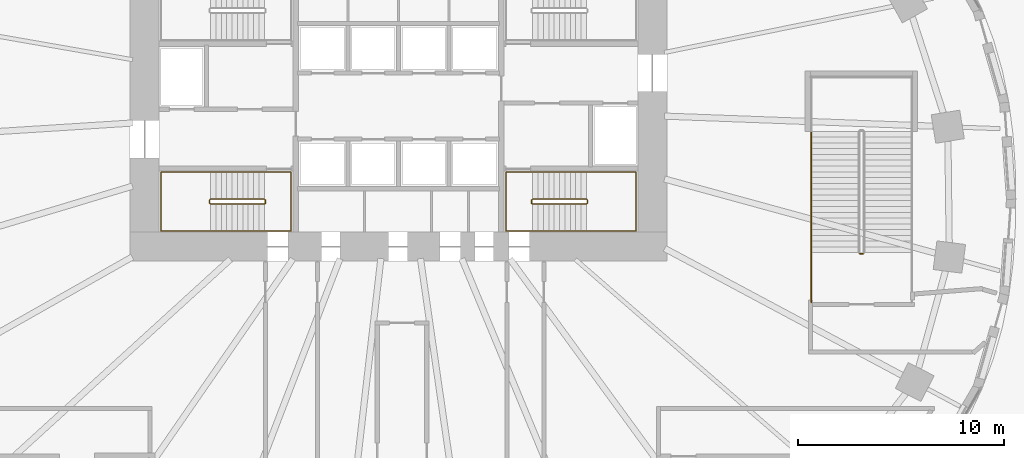
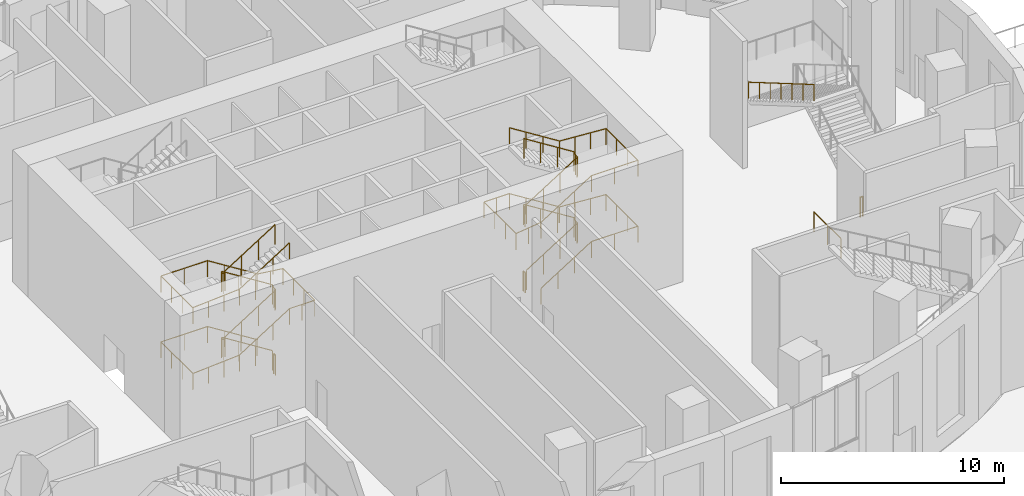
# One storey, part 22 of 27: 9 railings.
"""IFC4 building model written with IfcOpenShell, lengths in metres."""

from ifc_helpers import new_model, si_unit, direction, frame, origin, origin_2d, place, context, subcontext, project, spatial, circle, extrude, material, type_object, element, save


model = new_model("IFC4")

# Units and contexts
model_context = context("Model", 3, precision=1e-05, world=origin(), true_north=direction((0.0, 1.0)))
body_context = subcontext(model_context, "Body", "Model", "MODEL_VIEW")
ifc_project = project(units=[si_unit("LENGTHUNIT", "METRE"), si_unit("AREAUNIT", "SQUARE_METRE"), si_unit("VOLUMEUNIT", "CUBIC_METRE"), si_unit("PLANEANGLEUNIT", "RADIAN"), si_unit("MASSUNIT", "GRAM", prefix="KILO")], contexts=[model_context])

# Site, building, storey
site_placement = place(None, origin())
site = spatial("IfcSite", under=ifc_project, at=site_placement, CompositionType="ELEMENT")
building_placement = place(site_placement, origin())
building = spatial("IfcBuilding", under=site, at=building_placement, Name="Rubra Terraces Tower", CompositionType="ELEMENT")
storey_placement = place(building_placement, origin())
storey = spatial("IfcBuildingStorey", under=building, at=storey_placement, Name="L00", CompositionType="ELEMENT", Elevation=0.0)

# Railings
ifc_material = material(Name="Stainless steel", Category="steel")
railing_type_1 = type_object("IfcRailingType", Name="Core stair guard 1100", PredefinedType="GUARDRAIL", material=ifc_material)
railing_1_placement = place(storey_placement, frame((-6.5, 0.0, 0.16357421875)))
element("IfcRailing", 1, at=railing_1_placement, inside=storey, type_object=railing_type_1, Name="L00 stair S1 guard 1", PredefinedType="GUARDRAIL", context=body_context, shape_type="SweptSolid", body=[
    extrude(circle(Radius=0.02392578125, at=origin_2d()), frame((0.0, 0.0, 1.076171875), z_axis=(-0.846324394277, 0.0, 0.532667832379), x_axis=(0.0, -1.0, 0.0)), (0.0, 0.0, 1.0), 3.072265625),
    extrude(circle(Radius=0.02392578125, at=origin_2d()), frame((-2.60009765625, 0.0, 2.71240234375), z_axis=(-0.705375805398, -0.708833529934, 0.0), x_axis=(0.708833529934, -0.705375805398, 0.0)), (0.0, 0.0, 1.0), 0.070556640625),
    extrude(circle(Radius=0.02392578125, at=origin_2d()), frame((-2.64990234375, -0.050048828125, 2.71240234375), z_axis=(0.0, -1.0, 0.0), x_axis=(1.0, 0.0, 0.0)), (0.0, 0.0, 1.0), 0.14990234375),
    extrude(circle(Radius=0.02392578125, at=origin_2d()), frame((-2.64990234375, -0.199951171875, 2.71240234375), z_axis=(0.279546231943, -0.280916556609, 0.91811752648), x_axis=(0.708833529934, 0.705375805398, 0.0)), (0.0, 0.0, 1.0), 0.17822265625),
    extrude(circle(Radius=0.02392578125, at=origin_2d()), frame((-2.60009765625, -0.25, 2.8759765625), z_axis=(0.846324394277, 0.0, 0.532667832379), x_axis=(0.0, 1.0, 0.0)), (0.0, 0.0, 1.0), 3.072265625),
    extrude(circle(Radius=0.02392578125, at=origin_2d()), frame((0.0, -0.25, 4.5126953125), z_axis=(0.707106781187, 0.707106781187, 0.0), x_axis=(-0.707106781187, 0.707106781187, 0.0)), (0.0, 0.0, 1.0), 0.07080078125),
    extrude(circle(Radius=0.02392578125, at=origin_2d()), frame((0.050048828125, -0.199951171875, 4.5126953125), z_axis=(0.0, 1.0, 0.0), x_axis=(-1.0, 0.0, 0.0)), (0.0, 0.0, 1.0), 0.14990234375),
    extrude(circle(Radius=0.02392578125, at=origin_2d()), frame((0.050048828125, -0.050048828125, 4.5126953125), z_axis=(-0.280808744504, 0.280808744504, 0.917765164963), x_axis=(-0.707106781187, -0.707106781187, 0.0)), (0.0, 0.0, 1.0), 0.17822265625),
    extrude(circle(Radius=0.02392578125, at=origin_2d()), frame((0.0, 0.0, 4.67626953125), z_axis=(-0.846360218416, 0.0, 0.532610909279), x_axis=(0.0, -1.0, 0.0)), (0.0, 0.0, 1.0), 3.072021484375),
    extrude(circle(Radius=0.02392578125, at=origin_2d()), frame((-2.60009765625, 0.0, 6.3125), z_axis=(-0.705375805398, -0.708833529934, 0.0), x_axis=(0.708833529934, -0.705375805398, 0.0)), (0.0, 0.0, 1.0), 0.070556640625),
    extrude(circle(Radius=0.02392578125, at=origin_2d()), frame((-2.64990234375, -0.050048828125, 6.3125), z_axis=(0.0, -1.0, 0.0), x_axis=(1.0, 0.0, 0.0)), (0.0, 0.0, 1.0), 0.14990234375),
    extrude(circle(Radius=0.02392578125, at=origin_2d()), frame((-2.64990234375, -0.199951171875, 6.3125), z_axis=(0.279194930351, -0.280563532951, 0.91833234444), x_axis=(0.708833529934, 0.705375805398, 0.0)), (0.0, 0.0, 1.0), 0.178466796875),
    extrude(circle(Radius=0.02392578125, at=origin_2d()), frame((-2.60009765625, -0.25, 6.47607421875), z_axis=(0.846360218416, 0.0, 0.532610909279), x_axis=(0.0, 1.0, 0.0)), (0.0, 0.0, 1.0), 3.072021484375),
    extrude(circle(Radius=0.02099609375, at=origin_2d()), origin(), (0.0, 0.0, 1.0), 1.052001953125),
    extrude(circle(Radius=0.02099609375, at=origin_2d()), frame((-0.86669921875, 0.0, 0.54541015625)), (0.0, 0.0, 1.0), 1.052001953125),
    extrude(circle(Radius=0.02099609375, at=origin_2d()), frame((-1.7333984375, 0.0, 1.091064453125)), (0.0, 0.0, 1.0), 1.052001953125),
    extrude(circle(Radius=0.02099609375, at=origin_2d()), frame((-2.60009765625, 0.0, 1.636474609375)), (0.0, 0.0, 1.0), 1.052001953125),
    extrude(circle(Radius=0.02099609375, at=origin_2d()), frame((-2.64990234375, -0.050048828125, 1.636474609375)), (0.0, 0.0, 1.0), 1.052001953125),
    extrude(circle(Radius=0.02099609375, at=origin_2d()), frame((-2.64990234375, -0.199951171875, 1.636474609375)), (0.0, 0.0, 1.0), 1.052001953125),
    extrude(circle(Radius=0.02099609375, at=origin_2d()), frame((-2.60009765625, -0.25, 1.800048828125)), (0.0, 0.0, 1.0), 1.052001953125),
    extrude(circle(Radius=0.02099609375, at=origin_2d()), frame((-1.7333984375, -0.25, 2.345458984375)), (0.0, 0.0, 1.0), 1.052001953125),
    extrude(circle(Radius=0.02099609375, at=origin_2d()), frame((-0.86669921875, -0.25, 2.89111328125)), (0.0, 0.0, 1.0), 1.052001953125),
    extrude(circle(Radius=0.02099609375, at=origin_2d()), frame((0.0, -0.25, 3.4365234375)), (0.0, 0.0, 1.0), 1.052001953125),
    extrude(circle(Radius=0.02099609375, at=origin_2d()), frame((0.050048828125, -0.199951171875, 3.4365234375)), (0.0, 0.0, 1.0), 1.052001953125),
    extrude(circle(Radius=0.02099609375, at=origin_2d()), frame((0.050048828125, -0.050048828125, 3.4365234375)), (0.0, 0.0, 1.0), 1.052001953125),
    extrude(circle(Radius=0.02099609375, at=origin_2d()), frame((0.0, 0.0, 3.60009765625)), (0.0, 0.0, 1.0), 1.052001953125),
    extrude(circle(Radius=0.02099609375, at=origin_2d()), frame((-0.86669921875, 0.0, 4.1455078125)), (0.0, 0.0, 1.0), 1.052001953125),
    extrude(circle(Radius=0.02099609375, at=origin_2d()), frame((-1.7333984375, 0.0, 4.69091796875)), (0.0, 0.0, 1.0), 1.052001953125),
    extrude(circle(Radius=0.02099609375, at=origin_2d()), frame((-2.60009765625, 0.0, 5.236328125)), (0.0, 0.0, 1.0), 1.052001953125),
    extrude(circle(Radius=0.02099609375, at=origin_2d()), frame((-2.64990234375, -0.050048828125, 5.236328125)), (0.0, 0.0, 1.0), 1.052001953125),
    extrude(circle(Radius=0.02099609375, at=origin_2d()), frame((-2.64990234375, -0.199951171875, 5.236328125)), (0.0, 0.0, 1.0), 1.052001953125),
    extrude(circle(Radius=0.02099609375, at=origin_2d()), frame((-2.60009765625, -0.25, 5.400146484375)), (0.0, 0.0, 1.0), 1.052001953125),
    extrude(circle(Radius=0.02099609375, at=origin_2d()), frame((-1.7333984375, -0.25, 5.945556640625)), (0.0, 0.0, 1.0), 1.052001953125),
    extrude(circle(Radius=0.02099609375, at=origin_2d()), frame((-0.86669921875, -0.25, 6.490966796875)), (0.0, 0.0, 1.0), 1.052001953125),
    extrude(circle(Radius=0.02099609375, at=origin_2d()), frame((0.0, -0.25, 7.036376953125)), (0.0, 0.0, 1.0), 1.052001953125),
])
railing_2_placement = place(storey_placement, frame((-6.449951171875, -0.050048828125, 0.0)))
element("IfcRailing", 2, at=railing_2_placement, inside=storey, type_object=railing_type_1, Name="L00 stair S1 guard 2", PredefinedType="GUARDRAIL", context=body_context, shape_type="SweptSolid", body=[
    extrude(circle(Radius=0.02392578125, at=origin_2d()), frame((0.0, 0.0, 1.076171875), z_axis=(0.0, -1.0, 0.0), x_axis=(1.0, 0.0, 0.0)), (0.0, 0.0, 1.0), 0.14990234375),
    extrude(circle(Radius=0.02099609375, at=origin_2d()), origin(), (0.0, 0.0, 1.0), 1.052001953125),
    extrude(circle(Radius=0.02099609375, at=origin_2d()), frame((0.0, -0.14990234375, 0.0)), (0.0, 0.0, 1.0), 1.052001953125),
])
railing_3_placement = place(storey_placement, frame((6.5, -0.25, 0.16357421875)))
element("IfcRailing", 3, at=railing_3_placement, inside=storey, type_object=railing_type_1, Name="L00 stair S4 guard 1", PredefinedType="GUARDRAIL", context=body_context, shape_type="SweptSolid", body=[
    extrude(circle(Radius=0.02392578125, at=origin_2d()), frame((0.0, 0.0, 1.076171875), z_axis=(0.846324394277, 0.0, 0.532667832379), x_axis=(0.0, 1.0, 0.0)), (0.0, 0.0, 1.0), 3.072265625),
    extrude(circle(Radius=0.02392578125, at=origin_2d()), frame((2.60009765625, 0.0, 2.71240234375), z_axis=(0.705375805398, 0.708833529934, 0.0), x_axis=(-0.708833529934, 0.705375805398, 0.0)), (0.0, 0.0, 1.0), 0.070556640625),
    extrude(circle(Radius=0.02392578125, at=origin_2d()), frame((2.64990234375, 0.050048828125, 2.71240234375), z_axis=(0.0, 1.0, 0.0), x_axis=(-1.0, 0.0, 0.0)), (0.0, 0.0, 1.0), 0.14990234375),
    extrude(circle(Radius=0.02392578125, at=origin_2d()), frame((2.64990234375, 0.199951171875, 2.71240234375), z_axis=(-0.279546231943, 0.280916556609, 0.91811752648), x_axis=(-0.708833529934, -0.705375805398, 0.0)), (0.0, 0.0, 1.0), 0.17822265625),
    extrude(circle(Radius=0.02392578125, at=origin_2d()), frame((2.60009765625, 0.25, 2.8759765625), z_axis=(-0.846324394277, 0.0, 0.532667832379), x_axis=(0.0, -1.0, 0.0)), (0.0, 0.0, 1.0), 3.072265625),
    extrude(circle(Radius=0.02392578125, at=origin_2d()), frame((0.0, 0.25, 4.5126953125), z_axis=(-0.707106781187, -0.707106781187, 0.0), x_axis=(0.707106781187, -0.707106781187, 0.0)), (0.0, 0.0, 1.0), 0.07080078125),
    extrude(circle(Radius=0.02392578125, at=origin_2d()), frame((-0.050048828125, 0.199951171875, 4.5126953125), z_axis=(0.0, -1.0, 0.0), x_axis=(1.0, 0.0, 0.0)), (0.0, 0.0, 1.0), 0.14990234375),
    extrude(circle(Radius=0.02392578125, at=origin_2d()), frame((-0.050048828125, 0.050048828125, 4.5126953125), z_axis=(0.280808744504, -0.280808744504, 0.917765164963), x_axis=(0.707106781187, 0.707106781187, 0.0)), (0.0, 0.0, 1.0), 0.17822265625),
    extrude(circle(Radius=0.02392578125, at=origin_2d()), frame((0.0, 0.0, 4.67626953125), z_axis=(0.846360218416, 0.0, 0.532610909279), x_axis=(0.0, 1.0, 0.0)), (0.0, 0.0, 1.0), 3.072021484375),
    extrude(circle(Radius=0.02392578125, at=origin_2d()), frame((2.60009765625, 0.0, 6.3125), z_axis=(0.705375805398, 0.708833529934, 0.0), x_axis=(-0.708833529934, 0.705375805398, 0.0)), (0.0, 0.0, 1.0), 0.070556640625),
    extrude(circle(Radius=0.02392578125, at=origin_2d()), frame((2.64990234375, 0.050048828125, 6.3125), z_axis=(0.0, 1.0, 0.0), x_axis=(-1.0, 0.0, 0.0)), (0.0, 0.0, 1.0), 0.14990234375),
    extrude(circle(Radius=0.02392578125, at=origin_2d()), frame((2.64990234375, 0.199951171875, 6.3125), z_axis=(-0.279194930351, 0.280563532951, 0.91833234444), x_axis=(-0.708833529934, -0.705375805398, 0.0)), (0.0, 0.0, 1.0), 0.178466796875),
    extrude(circle(Radius=0.02392578125, at=origin_2d()), frame((2.60009765625, 0.25, 6.47607421875), z_axis=(-0.846360218416, 0.0, 0.532610909279), x_axis=(0.0, -1.0, 0.0)), (0.0, 0.0, 1.0), 3.072021484375),
    extrude(circle(Radius=0.02099609375, at=origin_2d()), origin(), (0.0, 0.0, 1.0), 1.052001953125),
    extrude(circle(Radius=0.02099609375, at=origin_2d()), frame((0.86669921875, 0.0, 0.54541015625)), (0.0, 0.0, 1.0), 1.052001953125),
    extrude(circle(Radius=0.02099609375, at=origin_2d()), frame((1.7333984375, 0.0, 1.091064453125)), (0.0, 0.0, 1.0), 1.052001953125),
    extrude(circle(Radius=0.02099609375, at=origin_2d()), frame((2.60009765625, 0.0, 1.636474609375)), (0.0, 0.0, 1.0), 1.052001953125),
    extrude(circle(Radius=0.02099609375, at=origin_2d()), frame((2.64990234375, 0.050048828125, 1.636474609375)), (0.0, 0.0, 1.0), 1.052001953125),
    extrude(circle(Radius=0.02099609375, at=origin_2d()), frame((2.64990234375, 0.199951171875, 1.636474609375)), (0.0, 0.0, 1.0), 1.052001953125),
    extrude(circle(Radius=0.02099609375, at=origin_2d()), frame((2.60009765625, 0.25, 1.800048828125)), (0.0, 0.0, 1.0), 1.052001953125),
    extrude(circle(Radius=0.02099609375, at=origin_2d()), frame((1.7333984375, 0.25, 2.345458984375)), (0.0, 0.0, 1.0), 1.052001953125),
    extrude(circle(Radius=0.02099609375, at=origin_2d()), frame((0.86669921875, 0.25, 2.89111328125)), (0.0, 0.0, 1.0), 1.052001953125),
    extrude(circle(Radius=0.02099609375, at=origin_2d()), frame((0.0, 0.25, 3.4365234375)), (0.0, 0.0, 1.0), 1.052001953125),
    extrude(circle(Radius=0.02099609375, at=origin_2d()), frame((-0.050048828125, 0.199951171875, 3.4365234375)), (0.0, 0.0, 1.0), 1.052001953125),
    extrude(circle(Radius=0.02099609375, at=origin_2d()), frame((-0.050048828125, 0.050048828125, 3.4365234375)), (0.0, 0.0, 1.0), 1.052001953125),
    extrude(circle(Radius=0.02099609375, at=origin_2d()), frame((0.0, 0.0, 3.60009765625)), (0.0, 0.0, 1.0), 1.052001953125),
    extrude(circle(Radius=0.02099609375, at=origin_2d()), frame((0.86669921875, 0.0, 4.1455078125)), (0.0, 0.0, 1.0), 1.052001953125),
    extrude(circle(Radius=0.02099609375, at=origin_2d()), frame((1.7333984375, 0.0, 4.69091796875)), (0.0, 0.0, 1.0), 1.052001953125),
    extrude(circle(Radius=0.02099609375, at=origin_2d()), frame((2.60009765625, 0.0, 5.236328125)), (0.0, 0.0, 1.0), 1.052001953125),
    extrude(circle(Radius=0.02099609375, at=origin_2d()), frame((2.64990234375, 0.050048828125, 5.236328125)), (0.0, 0.0, 1.0), 1.052001953125),
    extrude(circle(Radius=0.02099609375, at=origin_2d()), frame((2.64990234375, 0.199951171875, 5.236328125)), (0.0, 0.0, 1.0), 1.052001953125),
    extrude(circle(Radius=0.02099609375, at=origin_2d()), frame((2.60009765625, 0.25, 5.400146484375)), (0.0, 0.0, 1.0), 1.052001953125),
    extrude(circle(Radius=0.02099609375, at=origin_2d()), frame((1.7333984375, 0.25, 5.945556640625)), (0.0, 0.0, 1.0), 1.052001953125),
    extrude(circle(Radius=0.02099609375, at=origin_2d()), frame((0.86669921875, 0.25, 6.490966796875)), (0.0, 0.0, 1.0), 1.052001953125),
    extrude(circle(Radius=0.02099609375, at=origin_2d()), frame((0.0, 0.25, 7.036376953125)), (0.0, 0.0, 1.0), 1.052001953125),
])
railing_4_placement = place(storey_placement, frame((6.449951171875, -0.199951171875, 0.0)))
element("IfcRailing", 4, at=railing_4_placement, inside=storey, type_object=railing_type_1, Name="L00 stair S4 guard 2", PredefinedType="GUARDRAIL", context=body_context, shape_type="SweptSolid", body=[
    extrude(circle(Radius=0.02392578125, at=origin_2d()), frame((0.0, 0.0, 1.076171875), z_axis=(0.0, 1.0, 0.0), x_axis=(-1.0, 0.0, 0.0)), (0.0, 0.0, 1.0), 0.14990234375),
    extrude(circle(Radius=0.02099609375, at=origin_2d()), origin(), (0.0, 0.0, 1.0), 1.052001953125),
    extrude(circle(Radius=0.02099609375, at=origin_2d()), frame((0.0, 0.14990234375, 0.0)), (0.0, 0.0, 1.0), 1.052001953125),
])
railing_type_2 = type_object("IfcRailingType", Name="Core stair handrail 900", PredefinedType="HANDRAIL", material=ifc_material)
railing_5_placement = place(storey_placement, frame((-6.5, 1.300048828125, 0.16357421875)))
element("IfcRailing", 5, at=railing_5_placement, inside=storey, type_object=railing_type_2, Name="L00 stair S1 handrail 1", PredefinedType="HANDRAIL", context=body_context, shape_type="SweptSolid", body=[
    extrude(circle(Radius=0.02392578125, at=origin_2d()), frame((0.0, 0.0, 0.8759765625), z_axis=(-0.846324394277, 0.0, 0.532667832379), x_axis=(0.0, -1.0, 0.0)), (0.0, 0.0, 1.0), 3.072265625),
    extrude(circle(Radius=0.02392578125, at=origin_2d()), frame((-2.60009765625, 0.0, 2.51220703125), z_axis=(-1.0, 0.0, 0.0), x_axis=(0.0, -1.0, 0.0)), (0.0, 0.0, 1.0), 2.39990234375),
    extrude(circle(Radius=0.02392578125, at=origin_2d()), frame((-5.0, 0.0, 2.51220703125), z_axis=(0.0, -1.0, 0.0), x_axis=(1.0, 0.0, 0.0)), (0.0, 0.0, 1.0), 2.85009765625),
    extrude(circle(Radius=0.02392578125, at=origin_2d()), frame((-5.0, -2.85009765625, 2.51220703125), z_axis=(0.997685257876, 0.0, 0.068000928055), x_axis=(0.0, 1.0, 0.0)), (0.0, 0.0, 1.0), 2.405517578125),
    extrude(circle(Radius=0.02392578125, at=origin_2d()), frame((-2.60009765625, -2.85009765625, 2.67578125), z_axis=(0.846324394277, 0.0, 0.532667832379), x_axis=(0.0, 1.0, 0.0)), (0.0, 0.0, 1.0), 3.072265625),
    extrude(circle(Radius=0.02392578125, at=origin_2d()), frame((0.0, -2.85009765625, 4.3125), z_axis=(1.0, 0.0, 0.0), x_axis=(0.0, 1.0, 0.0)), (0.0, 0.0, 1.0), 1.300048828125),
    extrude(circle(Radius=0.02392578125, at=origin_2d()), frame((1.300048828125, -2.85009765625, 4.3125), z_axis=(0.0, 1.0, 0.0), x_axis=(-1.0, 0.0, 0.0)), (0.0, 0.0, 1.0), 2.85009765625),
    extrude(circle(Radius=0.02392578125, at=origin_2d()), frame((1.300048828125, 0.0, 4.3125), z_axis=(-0.992177223599, 0.0, 0.12483732203), x_axis=(0.0, -1.0, 0.0)), (0.0, 0.0, 1.0), 1.310302734375),
    extrude(circle(Radius=0.02392578125, at=origin_2d()), frame((0.0, 0.0, 4.47607421875), z_axis=(-0.846360218416, 0.0, 0.532610909279), x_axis=(0.0, -1.0, 0.0)), (0.0, 0.0, 1.0), 3.072021484375),
    extrude(circle(Radius=0.02392578125, at=origin_2d()), frame((-2.60009765625, 0.0, 6.1123046875), z_axis=(-1.0, 0.0, 0.0), x_axis=(0.0, -1.0, 0.0)), (0.0, 0.0, 1.0), 2.39990234375),
    extrude(circle(Radius=0.02392578125, at=origin_2d()), frame((-5.0, 0.0, 6.1123046875), z_axis=(0.0, -1.0, 0.0), x_axis=(1.0, 0.0, 0.0)), (0.0, 0.0, 1.0), 2.85009765625),
    extrude(circle(Radius=0.02392578125, at=origin_2d()), frame((-5.0, -2.85009765625, 6.1123046875), z_axis=(0.997678367104, 0.0, 0.06810195161), x_axis=(0.0, 1.0, 0.0)), (0.0, 0.0, 1.0), 2.405517578125),
    extrude(circle(Radius=0.02392578125, at=origin_2d()), frame((-2.60009765625, -2.85009765625, 6.27587890625), z_axis=(0.846360218416, 0.0, 0.532610909279), x_axis=(0.0, 1.0, 0.0)), (0.0, 0.0, 1.0), 3.072021484375),
    extrude(circle(Radius=0.02099609375, at=origin_2d()), origin(), (0.0, 0.0, 1.0), 0.851806640625),
    extrude(circle(Radius=0.02099609375, at=origin_2d()), frame((-0.86669921875, 0.0, 0.54541015625)), (0.0, 0.0, 1.0), 0.851806640625),
    extrude(circle(Radius=0.02099609375, at=origin_2d()), frame((-1.7333984375, 0.0, 1.091064453125)), (0.0, 0.0, 1.0), 0.851806640625),
    extrude(circle(Radius=0.02099609375, at=origin_2d()), frame((-2.60009765625, 0.0, 1.636474609375)), (0.0, 0.0, 1.0), 0.851806640625),
    extrude(circle(Radius=0.02099609375, at=origin_2d()), frame((-3.800048828125, 0.0, 1.636474609375)), (0.0, 0.0, 1.0), 0.851806640625),
    extrude(circle(Radius=0.02099609375, at=origin_2d()), frame((-5.0, 0.0, 1.636474609375)), (0.0, 0.0, 1.0), 0.851806640625),
    extrude(circle(Radius=0.02099609375, at=origin_2d()), frame((-5.0, -0.949951171875, 1.636474609375)), (0.0, 0.0, 1.0), 0.851806640625),
    extrude(circle(Radius=0.02099609375, at=origin_2d()), frame((-5.0, -1.900146484375, 1.636474609375)), (0.0, 0.0, 1.0), 0.851806640625),
    extrude(circle(Radius=0.02099609375, at=origin_2d()), frame((-5.0, -2.85009765625, 1.636474609375)), (0.0, 0.0, 1.0), 0.851806640625),
    extrude(circle(Radius=0.02099609375, at=origin_2d()), frame((-4.199951171875, -2.85009765625, 1.69091796875)), (0.0, 0.0, 1.0), 0.851806640625),
    extrude(circle(Radius=0.02099609375, at=origin_2d()), frame((-3.400146484375, -2.85009765625, 1.74560546875)), (0.0, 0.0, 1.0), 0.851806640625),
    extrude(circle(Radius=0.02099609375, at=origin_2d()), frame((-2.60009765625, -2.85009765625, 1.800048828125)), (0.0, 0.0, 1.0), 0.851806640625),
    extrude(circle(Radius=0.02099609375, at=origin_2d()), frame((-1.7333984375, -2.85009765625, 2.345458984375)), (0.0, 0.0, 1.0), 0.851806640625),
    extrude(circle(Radius=0.02099609375, at=origin_2d()), frame((-0.86669921875, -2.85009765625, 2.89111328125)), (0.0, 0.0, 1.0), 0.851806640625),
    extrude(circle(Radius=0.02099609375, at=origin_2d()), frame((0.0, -2.85009765625, 3.4365234375)), (0.0, 0.0, 1.0), 0.851806640625),
    extrude(circle(Radius=0.02099609375, at=origin_2d()), frame((0.64990234375, -2.85009765625, 3.4365234375)), (0.0, 0.0, 1.0), 0.851806640625),
    extrude(circle(Radius=0.02099609375, at=origin_2d()), frame((1.300048828125, -2.85009765625, 3.4365234375)), (0.0, 0.0, 1.0), 0.851806640625),
    extrude(circle(Radius=0.02099609375, at=origin_2d()), frame((1.300048828125, -1.900146484375, 3.4365234375)), (0.0, 0.0, 1.0), 0.851806640625),
    extrude(circle(Radius=0.02099609375, at=origin_2d()), frame((1.300048828125, -0.949951171875, 3.4365234375)), (0.0, 0.0, 1.0), 0.851806640625),
    extrude(circle(Radius=0.02099609375, at=origin_2d()), frame((1.300048828125, 0.0, 3.4365234375)), (0.0, 0.0, 1.0), 0.851806640625),
    extrude(circle(Radius=0.02099609375, at=origin_2d()), frame((0.64990234375, 0.0, 3.518310546875)), (0.0, 0.0, 1.0), 0.851806640625),
    extrude(circle(Radius=0.02099609375, at=origin_2d()), frame((0.0, 0.0, 3.60009765625)), (0.0, 0.0, 1.0), 0.851806640625),
    extrude(circle(Radius=0.02099609375, at=origin_2d()), frame((-0.86669921875, 0.0, 4.1455078125)), (0.0, 0.0, 1.0), 0.851806640625),
    extrude(circle(Radius=0.02099609375, at=origin_2d()), frame((-1.7333984375, 0.0, 4.69091796875)), (0.0, 0.0, 1.0), 0.851806640625),
    extrude(circle(Radius=0.02099609375, at=origin_2d()), frame((-2.60009765625, 0.0, 5.236328125)), (0.0, 0.0, 1.0), 0.851806640625),
    extrude(circle(Radius=0.02099609375, at=origin_2d()), frame((-3.800048828125, 0.0, 5.236328125)), (0.0, 0.0, 1.0), 0.851806640625),
    extrude(circle(Radius=0.02099609375, at=origin_2d()), frame((-5.0, 0.0, 5.236328125)), (0.0, 0.0, 1.0), 0.851806640625),
    extrude(circle(Radius=0.02099609375, at=origin_2d()), frame((-5.0, -0.949951171875, 5.236328125)), (0.0, 0.0, 1.0), 0.851806640625),
    extrude(circle(Radius=0.02099609375, at=origin_2d()), frame((-5.0, -1.900146484375, 5.236328125)), (0.0, 0.0, 1.0), 0.851806640625),
    extrude(circle(Radius=0.02099609375, at=origin_2d()), frame((-5.0, -2.85009765625, 5.236328125)), (0.0, 0.0, 1.0), 0.851806640625),
    extrude(circle(Radius=0.02099609375, at=origin_2d()), frame((-4.199951171875, -2.85009765625, 5.291015625)), (0.0, 0.0, 1.0), 0.851806640625),
    extrude(circle(Radius=0.02099609375, at=origin_2d()), frame((-3.400146484375, -2.85009765625, 5.345458984375)), (0.0, 0.0, 1.0), 0.851806640625),
    extrude(circle(Radius=0.02099609375, at=origin_2d()), frame((-2.60009765625, -2.85009765625, 5.400146484375)), (0.0, 0.0, 1.0), 0.851806640625),
    extrude(circle(Radius=0.02099609375, at=origin_2d()), frame((-1.7333984375, -2.85009765625, 5.945556640625)), (0.0, 0.0, 1.0), 0.851806640625),
    extrude(circle(Radius=0.02099609375, at=origin_2d()), frame((-0.86669921875, -2.85009765625, 6.490966796875)), (0.0, 0.0, 1.0), 0.851806640625),
    extrude(circle(Radius=0.02099609375, at=origin_2d()), frame((0.0, -2.85009765625, 7.036376953125)), (0.0, 0.0, 1.0), 0.851806640625),
])
railing_6_placement = place(storey_placement, frame((6.5, -1.550048828125, 0.16357421875)))
element("IfcRailing", 6, at=railing_6_placement, inside=storey, type_object=railing_type_2, Name="L00 stair S4 handrail 1", PredefinedType="HANDRAIL", context=body_context, shape_type="SweptSolid", body=[
    extrude(circle(Radius=0.02392578125, at=origin_2d()), frame((0.0, 0.0, 0.8759765625), z_axis=(0.846324394277, 0.0, 0.532667832379), x_axis=(0.0, 1.0, 0.0)), (0.0, 0.0, 1.0), 3.072265625),
    extrude(circle(Radius=0.02392578125, at=origin_2d()), frame((2.60009765625, 0.0, 2.51220703125), z_axis=(1.0, 0.0, 0.0), x_axis=(0.0, 1.0, 0.0)), (0.0, 0.0, 1.0), 2.39990234375),
    extrude(circle(Radius=0.02392578125, at=origin_2d()), frame((5.0, 0.0, 2.51220703125), z_axis=(0.0, 1.0, 0.0), x_axis=(-1.0, 0.0, 0.0)), (0.0, 0.0, 1.0), 2.85009765625),
    extrude(circle(Radius=0.02392578125, at=origin_2d()), frame((5.0, 2.85009765625, 2.51220703125), z_axis=(-0.997685257876, 0.0, 0.068000928055), x_axis=(0.0, -1.0, 0.0)), (0.0, 0.0, 1.0), 2.405517578125),
    extrude(circle(Radius=0.02392578125, at=origin_2d()), frame((2.60009765625, 2.85009765625, 2.67578125), z_axis=(-0.846324394277, 0.0, 0.532667832379), x_axis=(0.0, -1.0, 0.0)), (0.0, 0.0, 1.0), 3.072265625),
    extrude(circle(Radius=0.02392578125, at=origin_2d()), frame((0.0, 2.85009765625, 4.3125), z_axis=(-1.0, 0.0, 0.0), x_axis=(0.0, -1.0, 0.0)), (0.0, 0.0, 1.0), 1.300048828125),
    extrude(circle(Radius=0.02392578125, at=origin_2d()), frame((-1.300048828125, 2.85009765625, 4.3125), z_axis=(0.0, -1.0, 0.0), x_axis=(1.0, 0.0, 0.0)), (0.0, 0.0, 1.0), 2.85009765625),
    extrude(circle(Radius=0.02392578125, at=origin_2d()), frame((-1.300048828125, 0.0, 4.3125), z_axis=(0.992177223599, 0.0, 0.12483732203), x_axis=(0.0, 1.0, 0.0)), (0.0, 0.0, 1.0), 1.310302734375),
    extrude(circle(Radius=0.02392578125, at=origin_2d()), frame((0.0, 0.0, 4.47607421875), z_axis=(0.846360218416, 0.0, 0.532610909279), x_axis=(0.0, 1.0, 0.0)), (0.0, 0.0, 1.0), 3.072021484375),
    extrude(circle(Radius=0.02392578125, at=origin_2d()), frame((2.60009765625, 0.0, 6.1123046875), z_axis=(1.0, 0.0, 0.0), x_axis=(0.0, 1.0, 0.0)), (0.0, 0.0, 1.0), 2.39990234375),
    extrude(circle(Radius=0.02392578125, at=origin_2d()), frame((5.0, 0.0, 6.1123046875), z_axis=(0.0, 1.0, 0.0), x_axis=(-1.0, 0.0, 0.0)), (0.0, 0.0, 1.0), 2.85009765625),
    extrude(circle(Radius=0.02392578125, at=origin_2d()), frame((5.0, 2.85009765625, 6.1123046875), z_axis=(-0.997678367104, 0.0, 0.06810195161), x_axis=(0.0, -1.0, 0.0)), (0.0, 0.0, 1.0), 2.405517578125),
    extrude(circle(Radius=0.02392578125, at=origin_2d()), frame((2.60009765625, 2.85009765625, 6.27587890625), z_axis=(-0.846360218416, 0.0, 0.532610909279), x_axis=(0.0, -1.0, 0.0)), (0.0, 0.0, 1.0), 3.072021484375),
    extrude(circle(Radius=0.02099609375, at=origin_2d()), origin(), (0.0, 0.0, 1.0), 0.851806640625),
    extrude(circle(Radius=0.02099609375, at=origin_2d()), frame((0.86669921875, 0.0, 0.54541015625)), (0.0, 0.0, 1.0), 0.851806640625),
    extrude(circle(Radius=0.02099609375, at=origin_2d()), frame((1.7333984375, 0.0, 1.091064453125)), (0.0, 0.0, 1.0), 0.851806640625),
    extrude(circle(Radius=0.02099609375, at=origin_2d()), frame((2.60009765625, 0.0, 1.636474609375)), (0.0, 0.0, 1.0), 0.851806640625),
    extrude(circle(Radius=0.02099609375, at=origin_2d()), frame((3.800048828125, 0.0, 1.636474609375)), (0.0, 0.0, 1.0), 0.851806640625),
    extrude(circle(Radius=0.02099609375, at=origin_2d()), frame((5.0, 0.0, 1.636474609375)), (0.0, 0.0, 1.0), 0.851806640625),
    extrude(circle(Radius=0.02099609375, at=origin_2d()), frame((5.0, 0.949951171875, 1.636474609375)), (0.0, 0.0, 1.0), 0.851806640625),
    extrude(circle(Radius=0.02099609375, at=origin_2d()), frame((5.0, 1.900146484375, 1.636474609375)), (0.0, 0.0, 1.0), 0.851806640625),
    extrude(circle(Radius=0.02099609375, at=origin_2d()), frame((5.0, 2.85009765625, 1.636474609375)), (0.0, 0.0, 1.0), 0.851806640625),
    extrude(circle(Radius=0.02099609375, at=origin_2d()), frame((4.199951171875, 2.85009765625, 1.69091796875)), (0.0, 0.0, 1.0), 0.851806640625),
    extrude(circle(Radius=0.02099609375, at=origin_2d()), frame((3.400146484375, 2.85009765625, 1.74560546875)), (0.0, 0.0, 1.0), 0.851806640625),
    extrude(circle(Radius=0.02099609375, at=origin_2d()), frame((2.60009765625, 2.85009765625, 1.800048828125)), (0.0, 0.0, 1.0), 0.851806640625),
    extrude(circle(Radius=0.02099609375, at=origin_2d()), frame((1.7333984375, 2.85009765625, 2.345458984375)), (0.0, 0.0, 1.0), 0.851806640625),
    extrude(circle(Radius=0.02099609375, at=origin_2d()), frame((0.86669921875, 2.85009765625, 2.89111328125)), (0.0, 0.0, 1.0), 0.851806640625),
    extrude(circle(Radius=0.02099609375, at=origin_2d()), frame((0.0, 2.85009765625, 3.4365234375)), (0.0, 0.0, 1.0), 0.851806640625),
    extrude(circle(Radius=0.02099609375, at=origin_2d()), frame((-0.64990234375, 2.85009765625, 3.4365234375)), (0.0, 0.0, 1.0), 0.851806640625),
    extrude(circle(Radius=0.02099609375, at=origin_2d()), frame((-1.300048828125, 2.85009765625, 3.4365234375)), (0.0, 0.0, 1.0), 0.851806640625),
    extrude(circle(Radius=0.02099609375, at=origin_2d()), frame((-1.300048828125, 1.900146484375, 3.4365234375)), (0.0, 0.0, 1.0), 0.851806640625),
    extrude(circle(Radius=0.02099609375, at=origin_2d()), frame((-1.300048828125, 0.949951171875, 3.4365234375)), (0.0, 0.0, 1.0), 0.851806640625),
    extrude(circle(Radius=0.02099609375, at=origin_2d()), frame((-1.300048828125, 0.0, 3.4365234375)), (0.0, 0.0, 1.0), 0.851806640625),
    extrude(circle(Radius=0.02099609375, at=origin_2d()), frame((-0.64990234375, 0.0, 3.518310546875)), (0.0, 0.0, 1.0), 0.851806640625),
    extrude(circle(Radius=0.02099609375, at=origin_2d()), frame((0.0, 0.0, 3.60009765625)), (0.0, 0.0, 1.0), 0.851806640625),
    extrude(circle(Radius=0.02099609375, at=origin_2d()), frame((0.86669921875, 0.0, 4.1455078125)), (0.0, 0.0, 1.0), 0.851806640625),
    extrude(circle(Radius=0.02099609375, at=origin_2d()), frame((1.7333984375, 0.0, 4.69091796875)), (0.0, 0.0, 1.0), 0.851806640625),
    extrude(circle(Radius=0.02099609375, at=origin_2d()), frame((2.60009765625, 0.0, 5.236328125)), (0.0, 0.0, 1.0), 0.851806640625),
    extrude(circle(Radius=0.02099609375, at=origin_2d()), frame((3.800048828125, 0.0, 5.236328125)), (0.0, 0.0, 1.0), 0.851806640625),
    extrude(circle(Radius=0.02099609375, at=origin_2d()), frame((5.0, 0.0, 5.236328125)), (0.0, 0.0, 1.0), 0.851806640625),
    extrude(circle(Radius=0.02099609375, at=origin_2d()), frame((5.0, 0.949951171875, 5.236328125)), (0.0, 0.0, 1.0), 0.851806640625),
    extrude(circle(Radius=0.02099609375, at=origin_2d()), frame((5.0, 1.900146484375, 5.236328125)), (0.0, 0.0, 1.0), 0.851806640625),
    extrude(circle(Radius=0.02099609375, at=origin_2d()), frame((5.0, 2.85009765625, 5.236328125)), (0.0, 0.0, 1.0), 0.851806640625),
    extrude(circle(Radius=0.02099609375, at=origin_2d()), frame((4.199951171875, 2.85009765625, 5.291015625)), (0.0, 0.0, 1.0), 0.851806640625),
    extrude(circle(Radius=0.02099609375, at=origin_2d()), frame((3.400146484375, 2.85009765625, 5.345458984375)), (0.0, 0.0, 1.0), 0.851806640625),
    extrude(circle(Radius=0.02099609375, at=origin_2d()), frame((2.60009765625, 2.85009765625, 5.400146484375)), (0.0, 0.0, 1.0), 0.851806640625),
    extrude(circle(Radius=0.02099609375, at=origin_2d()), frame((1.7333984375, 2.85009765625, 5.945556640625)), (0.0, 0.0, 1.0), 0.851806640625),
    extrude(circle(Radius=0.02099609375, at=origin_2d()), frame((0.86669921875, 2.85009765625, 6.490966796875)), (0.0, 0.0, 1.0), 0.851806640625),
    extrude(circle(Radius=0.02099609375, at=origin_2d()), frame((0.0, 2.85009765625, 7.036376953125)), (0.0, 0.0, 1.0), 0.851806640625),
])
railing_type_3 = type_object("IfcRailingType", Name="Public stair guard 1100", PredefinedType="GUARDRAIL", material=ifc_material)
railing_7_placement = place(storey_placement, frame((22.5, -2.64990234375, 0.0400390625)))
element("IfcRailing", 7, at=railing_7_placement, inside=storey, type_object=railing_type_3, Name="L00 PS2 stair guard 7", PredefinedType="GUARDRAIL", context=body_context, shape_type="SweptSolid", body=[
    extrude(circle(Radius=0.02392578125, at=origin_2d()), frame((0.0, 0.0, 1.076171875), z_axis=(-1.0, 0.0, 0.0), x_axis=(0.0, -1.0, 0.0)), (0.0, 0.0, 1.0), 0.14990234375),
    extrude(circle(Radius=0.02099609375, at=origin_2d()), origin(), (0.0, 0.0, 1.0), 1.052001953125),
    extrude(circle(Radius=0.02099609375, at=origin_2d()), frame((-0.14990234375, 0.0, 0.0)), (0.0, 0.0, 1.0), 1.052001953125),
])
railing_8_placement = place(storey_placement, frame((20.0, -5.0, 0.0400390625)))
element("IfcRailing", 8, at=railing_8_placement, inside=storey, type_object=railing_type_3, Name="L00 PS2 stair guard 9", PredefinedType="GUARDRAIL", context=body_context, shape_type="SweptSolid", body=[
    extrude(circle(Radius=0.02392578125, at=origin_2d()), frame((0.0, 0.0, 1.076171875), z_axis=(0.0, 1.0, 0.0), x_axis=(-1.0, 0.0, 0.0)), (0.0, 0.0, 1.0), 2.39990234375),
    extrude(circle(Radius=0.02099609375, at=origin_2d()), origin(), (0.0, 0.0, 1.0), 1.052001953125),
    extrude(circle(Radius=0.02099609375, at=origin_2d()), frame((0.0, 1.199951171875, 0.0)), (0.0, 0.0, 1.0), 1.052001953125),
    extrude(circle(Radius=0.02099609375, at=origin_2d()), frame((0.0, 2.39990234375, 0.0)), (0.0, 0.0, 1.0), 1.052001953125),
])
railing_type_4 = type_object("IfcRailingType", Name="Public stair handrail 900", PredefinedType="HANDRAIL", material=ifc_material)
railing_9_placement = place(storey_placement, frame((20.0, 3.280029296875, 3.763671875)))
element("IfcRailing", 9, at=railing_9_placement, inside=storey, type_object=railing_type_4, Name="L00 PS2 stair handrail 2", PredefinedType="HANDRAIL", context=body_context, shape_type="SweptSolid", body=[
    extrude(circle(Radius=0.02392578125, at=origin_2d()), frame((0.0, 0.0, 0.8759765625), z_axis=(0.0, -0.863382084311, 0.504550667913), x_axis=(1.0, 0.0, 0.0)), (0.0, 0.0, 1.0), 6.810546875),
    extrude(circle(Radius=0.02099609375, at=origin_2d()), origin(), (0.0, 0.0, 1.0), 0.851806640625),
    extrude(circle(Radius=0.02099609375, at=origin_2d()), frame((0.0, -0.97998046875, 0.57275390625)), (0.0, 0.0, 1.0), 0.851806640625),
    extrude(circle(Radius=0.02099609375, at=origin_2d()), frame((0.0, -1.9599609375, 1.1455078125)), (0.0, 0.0, 1.0), 0.851806640625),
    extrude(circle(Radius=0.02099609375, at=origin_2d()), frame((0.0, -2.93994140625, 1.71826171875)), (0.0, 0.0, 1.0), 0.851806640625),
    extrude(circle(Radius=0.02099609375, at=origin_2d()), frame((0.0, -3.920166015625, 2.290771484375)), (0.0, 0.0, 1.0), 0.851806640625),
    extrude(circle(Radius=0.02099609375, at=origin_2d()), frame((0.0, -4.900146484375, 2.863525390625)), (0.0, 0.0, 1.0), 0.851806640625),
    extrude(circle(Radius=0.02099609375, at=origin_2d()), frame((0.0, -5.880126953125, 3.436279296875)), (0.0, 0.0, 1.0), 0.851806640625),
])

save(model, "model.ifc")
